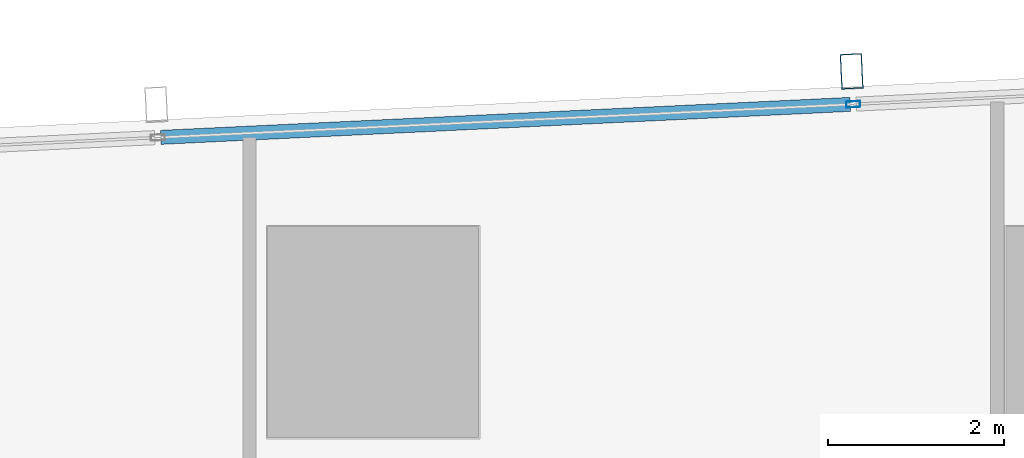
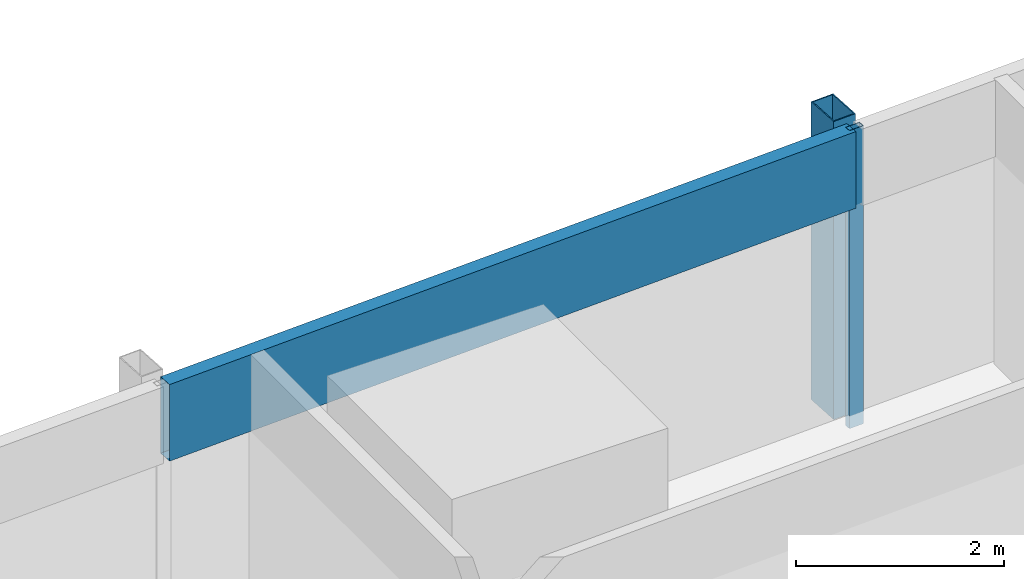
# One storey, part 17 of 37: 3 members, 1 element without a shape of its own.
"""IFC4 building model written with IfcOpenShell, lengths in metres."""

import ifcopenshell
import ifcopenshell.guid

model = None  # the IFC model being written
_history = None  # IfcOwnerHistory: only IFC2X3 demands one
_inside = {}  # id of a spatial element -> (the spatial element, [elements in it])
_under = {}  # id of a project, library or spatial element -> (it, [spatial elements below it])
_declared = {}  # id of a project -> (the project, [libraries it declares])
_typed = {}  # id of a type object -> (the type object, [elements of that type])
_made_of = {}  # id of a material, layer set ... -> (it, [elements and type objects made of it])


def new_model(schema):
    """Start an empty IFC model of exactly this schema.

    Asked for "IFC4X3", IfcOpenShell would pick the latest addendum, in which some entities
    have other attributes; the version numbers below select the first issue.
    IFC2X3 requires an IfcOwnerHistory on every rooted entity: one is made here for all.
    """
    global model, _history
    if schema == "IFC4X3":
        model = ifcopenshell.file(schema_version=(4, 3, 0, 0))
    else:
        model = ifcopenshell.file(schema=schema)
    _inside.clear()
    _under.clear()
    _declared.clear()
    _typed.clear()
    _made_of.clear()
    _history = None
    if model.schema == "IFC2X3":
        org = make("IfcOrganization", Name="unknown")
        user = make(
            "IfcPersonAndOrganization",
            ThePerson=make("IfcPerson", FamilyName="unknown"),
            TheOrganization=org,
        )
        app = make(
            "IfcApplication",
            ApplicationDeveloper=org,
            Version="unknown",
            ApplicationFullName="unknown",
            ApplicationIdentifier="unknown",
        )
        _history = make(
            "IfcOwnerHistory",
            OwningUser=user,
            OwningApplication=app,
            ChangeAction="ADDED",
            CreationDate=0,
        )
    return model


def make(cls, **values):
    """One entity of the class cls with the attributes given. An attribute that is None is left unset."""
    return model.create_entity(
        cls, **{name: value for name, value in values.items() if value is not None}
    )


def rooted(cls, **values):
    """An entity with a GlobalId (a new one), such as an element, a storey or a relation."""
    return make(cls, GlobalId=ifcopenshell.guid.new(), OwnerHistory=_history, **values)


def si_unit(unit_type, name, prefix=None):
    """IfcSIUnit, for example si_unit("LENGTHUNIT", "METRE", prefix="MILLI")."""
    return make("IfcSIUnit", UnitType=unit_type, Prefix=prefix, Name=name)


def assignment(units):
    """IfcUnitAssignment: the units of a project."""
    return None if units is None else make("IfcUnitAssignment", Units=units)


def point(xyz):
    """IfcCartesianPoint."""
    return None if xyz is None else make("IfcCartesianPoint", Coordinates=xyz)


def direction(xyz):
    """IfcDirection."""
    return None if xyz is None else make("IfcDirection", DirectionRatios=xyz)


def frame(location, z_axis=None, x_axis=None):
    """IfcAxis2Placement3D, a coordinate frame: its origin and axes. An axis left out is left unset."""
    return make(
        "IfcAxis2Placement3D",
        Location=point(location),
        Axis=direction(z_axis),
        RefDirection=direction(x_axis),
    )


def frame_2d(location, x_axis=None):
    """IfcAxis2Placement2D, a coordinate frame in the plane: its origin and x axis."""
    return make(
        "IfcAxis2Placement2D", Location=point(location), RefDirection=direction(x_axis)
    )


def origin():
    """The frame at (0, 0, 0) with its axes left unset."""
    return frame((0.0, 0.0, 0.0))


def origin_2d():
    """The frame at (0, 0) in the plane with its x axis left unset."""
    return frame_2d((0.0, 0.0))


def place(relative_to, where):
    """IfcLocalPlacement: puts the frame where relative to a parent placement (None: the world)."""
    return make(
        "IfcLocalPlacement", PlacementRelTo=relative_to, RelativePlacement=where
    )


def context(
    kind, dimensions, precision=None, world=None, true_north=None, identifier=None
):
    """IfcGeometricRepresentationContext, for example the 3D "Model" context."""
    return make(
        "IfcGeometricRepresentationContext",
        ContextIdentifier=identifier,
        ContextType=kind,
        CoordinateSpaceDimension=dimensions,
        Precision=precision,
        WorldCoordinateSystem=world,
        TrueNorth=true_north,
    )


def subcontext(parent, identifier, kind, view, scale=None):
    """IfcGeometricRepresentationSubContext, for example "Body" below "Model"."""
    return make(
        "IfcGeometricRepresentationSubContext",
        ContextIdentifier=identifier,
        ContextType=kind,
        ParentContext=parent,
        TargetScale=scale,
        TargetView=view,
    )


def project(units=None, contexts=None):
    """IfcProject with its units and contexts."""
    return rooted(
        "IfcProject",
        Name="project",
        RepresentationContexts=contexts,
        UnitsInContext=assignment(units),
    )


def spatial(cls, under=None, at=None, **own):
    """A site, building, storey or space (cls), placed at a placement, below another one or the project."""
    s = rooted(cls, ObjectPlacement=at, **own)
    if under is not None:
        _under.setdefault(under.id(), (under, []))[1].append(s)
    return s


def profile(cls, at=None, kind="AREA", **sizes):
    """A parametric profile (cls). Its sizes go by their IFC names, for example OverallWidth=200.0."""
    return make(cls, ProfileType=kind, Position=at, **sizes)


def hollow_rectangle(**sizes):
    """IfcRectangleHollowProfileDef."""
    return profile("IfcRectangleHollowProfileDef", **sizes)


def extrude(swept, where, along, depth):
    """IfcExtrudedAreaSolid: the profile swept, set in the frame where, extruded along a direction by depth."""
    return make(
        "IfcExtrudedAreaSolid",
        SweptArea=swept,
        Position=where,
        ExtrudedDirection=direction(along),
        Depth=depth,
    )


def shape(context_of_items, identifier, shape_type, items):
    """IfcShapeRepresentation: the items that make up one representation, for example the "Body"."""
    return make(
        "IfcShapeRepresentation",
        ContextOfItems=context_of_items,
        RepresentationIdentifier=identifier,
        RepresentationType=shape_type,
        Items=items,
    )


def material(Name=None, Category=None):
    """IfcMaterial."""
    return make("IfcMaterial", Name=Name, Category=Category)


def material_profile(
    of_material, cross_section, Name=None, Category=None, Priority=None
):
    """IfcMaterialProfile: a cross section and its material."""
    return make(
        "IfcMaterialProfile",
        Name=Name,
        Material=of_material,
        Profile=cross_section,
        Priority=Priority,
        Category=Category,
    )


def profile_set(profiles, Name=None, composite=None):
    """IfcMaterialProfileSet."""
    return make(
        "IfcMaterialProfileSet",
        Name=Name,
        MaterialProfiles=profiles,
        CompositeProfile=composite,
    )


def made_of(thing, what):
    """Note that an element or type object is made of a material, layer set ...; save() writes the relation."""
    if what is not None:
        _made_of.setdefault(what.id(), (what, []))[1].append(thing)
    return thing


def type_object(cls, material=None, **own):
    """A type object (cls), such as IfcWallType, which elements share."""
    return made_of(rooted(cls, **own), material)


def element(
    cls,
    number,
    at=None,
    inside=None,
    cuts=None,
    type_object=None,
    material=None,
    context=None,
    identifier="Body",
    shape_type=None,
    held_by="IfcProductDefinitionShape",
    body=None,
    shapes=None,
    **own,
):
    """One element of the class cls, such as IfcWall. Its Tag is "e" and its number.

    at: its placement. inside: the storey or other place that contains it. cuts: it is an
    opening in that element (IfcRelVoidsElement). A single representation is given by context,
    identifier, shape_type and body (its items); several are given by shapes. held_by: the class
    of the entity that holds the representations. save() writes the other relations.
    """
    e = rooted(cls, Tag="e%d" % number, ObjectPlacement=at, **own)
    if body is not None:
        shapes = [shape(context, identifier, shape_type, body)]
    if shapes is not None:
        e.Representation = make(held_by, Representations=shapes)
    if inside is not None:
        _inside.setdefault(inside.id(), (inside, []))[1].append(e)
    if cuts is not None:
        rooted(
            "IfcRelVoidsElement", RelatingBuildingElement=cuts, RelatedOpeningElement=e
        )
    if type_object is not None:
        _typed.setdefault(type_object.id(), (type_object, []))[1].append(e)
    return made_of(e, material)


def aggregate(whole, parts):
    """IfcRelAggregates: a whole, such as a stair, and the parts it consists of."""
    return rooted("IfcRelAggregates", RelatingObject=whole, RelatedObjects=parts)


def save(model, path):
    """Write the relations noted so far, then the file.

    IfcRelAggregates (storeys below a building ...), IfcRelContainedInSpatialStructure (elements
    in a storey), IfcRelDefinesByType, IfcRelAssociatesMaterial and IfcRelDeclares: one each for
    every whole, place, type object, material and project.
    """
    for whole, parts in _under.values():
        aggregate(whole, parts)
    for where, things in _inside.values():
        rooted(
            "IfcRelContainedInSpatialStructure",
            RelatedElements=things,
            RelatingStructure=where,
        )
    for kind, things in _typed.values():
        rooted("IfcRelDefinesByType", RelatedObjects=things, RelatingType=kind)
    for what, things in _made_of.values():
        rooted("IfcRelAssociatesMaterial", RelatedObjects=things, RelatingMaterial=what)
    for by, libraries in _declared.values():
        rooted("IfcRelDeclares", RelatingContext=by, RelatedDefinitions=libraries)
    model.write(path)


model = new_model("IFC4")

# Units and contexts
model_context = context("Model", 3, precision=1e-05, world=origin(), true_north=direction((0.0, 1.0)))
body_context = subcontext(model_context, "Body", "Model", "MODEL_VIEW")
ifc_project = project(units=[si_unit("LENGTHUNIT", "METRE"), si_unit("AREAUNIT", "SQUARE_METRE"), si_unit("VOLUMEUNIT", "CUBIC_METRE"), si_unit("PLANEANGLEUNIT", "RADIAN"), si_unit("MASSUNIT", "GRAM", prefix="KILO")], contexts=[model_context])

# Site, building, storey
site_placement = place(None, origin())
site = spatial("IfcSite", under=ifc_project, at=site_placement, CompositionType="ELEMENT")
building_placement = place(site_placement, origin())
building = spatial("IfcBuilding", under=site, at=building_placement, Name="Rekha Terrace Tower", CompositionType="ELEMENT")
storey_placement = place(building_placement, frame((0.0, 0.0, 232.699951171875)))
storey = spatial("IfcBuildingStorey", under=building, at=storey_placement, Name="L59", CompositionType="ELEMENT", Elevation=232.699951171875)

# Curtain wall, members
ifc_material_1 = material(Name="Aluminium framing", Category="aluminium")
curtain_wall_type = type_object("IfcCurtainWallType", Name="CW3 north unitised glazing", PredefinedType="USERDEFINED", material=ifc_material_1)
curtain_wall_placement = place(storey_placement, origin())
curtain_wall = element("IfcCurtainWall", 1, at=curtain_wall_placement, inside=storey, type_object=curtain_wall_type, Name="CW3 unitised curtain wall", ObjectType="UNITISED CURTAIN WALL", PredefinedType="USERDEFINED")
ifc_material_2 = material(Name="Steel S355 with fluorocarbon finish", Category="steel")
ifc_material_profile_1 = material_profile(ifc_material_2, hollow_rectangle(XDim=0.25, YDim=0.39990234375, WallThickness=0.012451171875, at=origin_2d()), Name="RHS400x250x12.5")
ifc_profile_set_1 = profile_set([ifc_material_profile_1], Name="Steel S355 with fluorocarbon finish")
member_type_1 = type_object("IfcMemberType", Name="BL1 facade blade RHS 400 x 250", PredefinedType="USERDEFINED", material=ifc_profile_set_1)
member_1_placement = place(storey_placement, frame((30.643310546875, 61.767578125, 0.0), z_axis=(0.0, 0.0, 1.0), x_axis=(-0.998858913274, -0.04775846913, 0.0)))
member_1 = element("IfcMember", 2, at=member_1_placement, type_object=member_type_1, Name="Facade blade", ObjectType="FACADE BLADE", PredefinedType="USERDEFINED", context=body_context, shape_type="SweptSolid", body=[
    extrude(hollow_rectangle(XDim=0.25, YDim=0.39990234375, WallThickness=0.012451171875, at=origin_2d()), origin(), (0.0, 0.0, 1.0), 3.5),
])
ifc_material_3 = material(Name="Aluminium mullion section", Category="aluminium")
ifc_material_profile_2 = material_profile(ifc_material_3, hollow_rectangle(XDim=0.070068359375, YDim=0.159912109375, WallThickness=0.00390625, at=origin_2d()), Name="AL RHS 70x160")
ifc_profile_set_2 = profile_set([ifc_material_profile_2], Name="Aluminium mullion section")
member_type_2 = type_object("IfcMemberType", Name="CW3 mullion RHS 70 x 160", PredefinedType="MULLION", material=ifc_profile_set_2)
member_2_placement = place(storey_placement, frame((30.6611328125, 61.39306640625, 0.0), z_axis=(0.0, 0.0, 1.0), x_axis=(0.047758616983, -0.998858906204, 0.0)))
member_2 = element("IfcMember", 3, at=member_2_placement, type_object=member_type_2, Name="CW3 mullion 3", PredefinedType="MULLION", context=body_context, shape_type="SweptSolid", body=[
    extrude(hollow_rectangle(XDim=0.070068359375, YDim=0.159912109375, WallThickness=0.00390625, at=origin_2d()), origin(), (0.0, 0.0, 1.0), 3.5),
])
ifc_material_4 = material(Name="Insulated aluminium spandrel box", Category="aluminium")
ifc_material_profile_3 = material_profile(ifc_material_4, hollow_rectangle(XDim=0.159912109375, YDim=0.89990234375, WallThickness=0.0029296875, at=origin_2d()), Name="AL SPANDREL BOX 160x900")
ifc_profile_set_3 = profile_set([ifc_material_profile_3], Name="Insulated aluminium spandrel box")
member_type_3 = type_object("IfcMemberType", Name="CW3 spandrel transom 160 x 900", PredefinedType="USERDEFINED", material=ifc_profile_set_3)
member_3_placement = place(storey_placement, frame((30.626220703125, 61.391357421875, 3.050048828125), z_axis=(-0.998859323292, -0.047749892907, 0.0), x_axis=(0.047749892907, -0.998859323292, 0.0)))
member_3 = element("IfcMember", 4, at=member_3_placement, type_object=member_type_3, Name="CW3 spandrel transom 3", ObjectType="TRANSOM", PredefinedType="USERDEFINED", context=body_context, shape_type="SweptSolid", body=[
    extrude(hollow_rectangle(XDim=0.159912109375, YDim=0.89990234375, WallThickness=0.0029296875, at=origin_2d()), origin(), (0.0, 0.0, 1.0), 7.848388671875),
])
aggregate(curtain_wall, [member_2, member_3, member_1])

save(model, "model.ifc")
